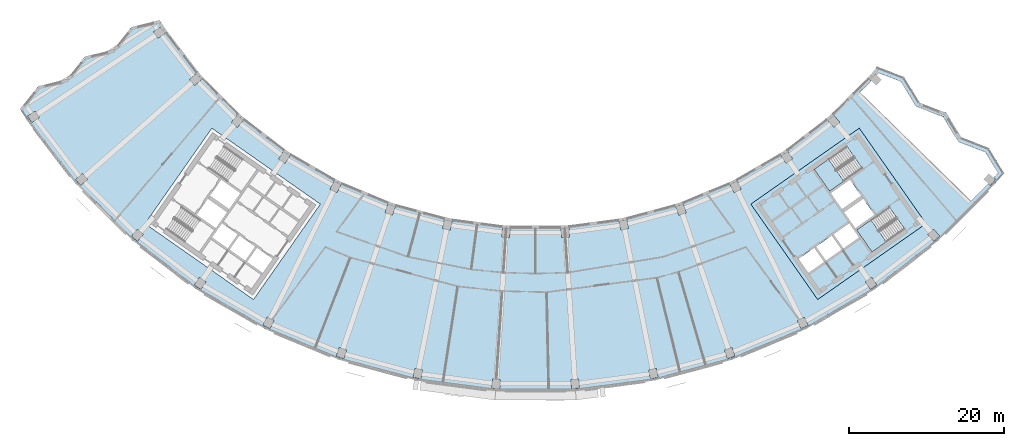
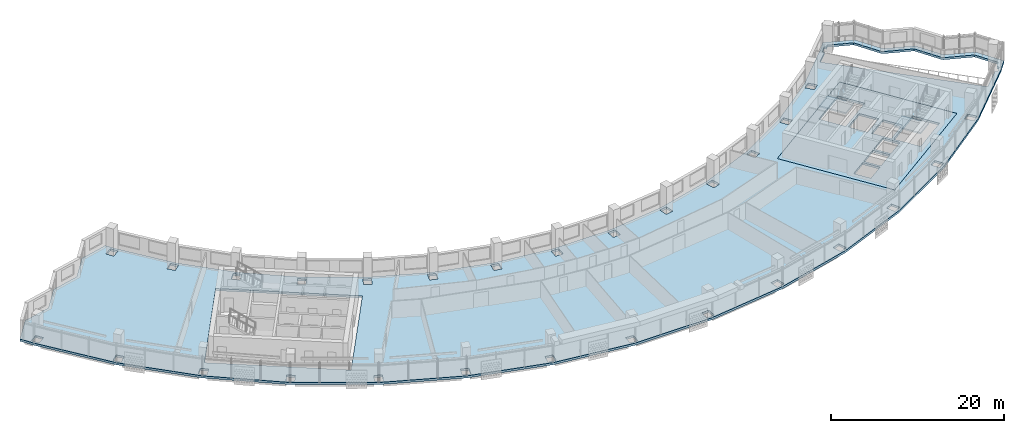
# One storey, part 2 of 29: 4 slabs, 2 elements without a shape of their own.
"""IFC4 building model written with IfcOpenShell, lengths in metres."""

from ifc_helpers import new_model, si_unit, direction, frame, origin, place, context, subcontext, project, spatial, polyline, outline, extrude, material, layer, layer_set, type_object, element, aggregate, save


model = new_model("IFC4")

# Units and contexts
model_context = context("Model", 3, precision=1e-05, world=origin(), true_north=direction((0.0, 1.0)))
body_context = subcontext(model_context, "Body", "Model", "MODEL_VIEW")
ifc_project = project(units=[si_unit("LENGTHUNIT", "METRE"), si_unit("AREAUNIT", "SQUARE_METRE"), si_unit("VOLUMEUNIT", "CUBIC_METRE"), si_unit("PLANEANGLEUNIT", "RADIAN"), si_unit("MASSUNIT", "GRAM", prefix="KILO")], contexts=[model_context])

# Site, building, storey
site_placement = place(None, origin())
site = spatial("IfcSite", under=ifc_project, at=site_placement, CompositionType="ELEMENT")
building_placement = place(site_placement, origin())
building = spatial("IfcBuilding", under=site, at=building_placement, Name="Qamariyya Broadcast Tower", CompositionType="ELEMENT")
storey_placement = place(building_placement, frame((0.0, 0.0, 207.5)))
storey = spatial("IfcBuildingStorey", under=building, at=storey_placement, Name="L49", CompositionType="ELEMENT", Elevation=207.5)

# Slabs
ifc_material_1 = material(Name="Concrete C40/50", Category="concrete")
ifc_layer_1 = layer(ifc_material_1, 0.300048828125)
ifc_layer_set_1 = layer_set([ifc_layer_1], Name="Core floor slab 300 mm Concrete C40/50")
slab_type_1 = type_object("IfcSlabType", Name="Core floor slab 300 mm Concrete C40/50", PredefinedType="FLOOR", material=ifc_layer_set_1)
slab_1_placement = place(storey_placement, frame((0.0, 0.0, -0.300048828125)))
element("IfcSlab", 1, at=slab_1_placement, inside=storey, type_object=slab_type_1, Name="k-E-L49-slab", PredefinedType="FLOOR", context=body_context, shape_type="SweptSolid", body=[
    extrude(outline(polyline([(36.32373046875, -66.734375), (50.286376953125, -56.95751953125), (41.6826171875, -44.67041015625), (27.719970703125, -54.447021484375), (36.32373046875, -66.734375)]), holes=[polyline([(33.87353515625, -61.49169921875), (35.88037109375, -60.08642578125), (37.142333984375, -61.888427734375), (35.13525390625, -63.293701171875), (33.87353515625, -61.49169921875)]), polyline([(36.126220703125, -59.914306640625), (38.133056640625, -58.509033203125), (39.394775390625, -60.311279296875), (37.387939453125, -61.716552734375), (36.126220703125, -59.914306640625)]), polyline([(38.378662109375, -58.3369140625), (40.3857421875, -56.931640625), (41.6474609375, -58.73388671875), (39.640625, -60.13916015625), (38.378662109375, -58.3369140625)]), polyline([(39.742431640625, -55.489990234375), (42.199951171875, -53.769287109375), (43.6337890625, -55.817138671875), (41.17626953125, -57.537841796875), (39.742431640625, -55.489990234375)]), polyline([(39.45556640625, -55.080322265625), (41.9130859375, -53.359619140625), (40.47900390625, -51.311767578125), (38.021728515625, -53.032470703125), (39.45556640625, -55.080322265625)]), polyline([(40.082275390625, -47.01171875), (35.870849609375, -49.960693359375), (37.849609375, -52.78662109375), (42.06103515625, -49.837890625), (40.082275390625, -47.01171875)]), polyline([(45.559814453125, -54.834716796875), (41.348388671875, -57.783447265625), (43.3271484375, -60.609619140625), (47.538818359375, -57.66064453125), (45.559814453125, -54.834716796875)])]), origin(), (0.0, 0.0, 1.0), 0.300048828125),
])
ifc_layer_2 = layer(ifc_material_1, 0.300048828125)
ifc_layer_set_2 = layer_set([ifc_layer_2], Name="Post-tensioned floor slab 300 C40/50")
slab_type_2 = type_object("IfcSlabType", Name="Post-tensioned floor slab 300 C40/50", PredefinedType="FLOOR", material=ifc_layer_set_2)
slab_2_placement = place(storey_placement, frame((0.0, 0.0, -0.300048828125)))
element("IfcSlab", 2, at=slab_2_placement, inside=storey, type_object=slab_type_2, Name="Floor slab S4 L49", PredefinedType="FLOOR", context=body_context, shape_type="SweptSolid", body=[
    extrude(outline(polyline([(-64.02783203125, -39.248779296875), (-66.388916015625, -42.170166015625), (-65.39501953125, -43.695556640625), (-59.132080078125, -51.857666015625), (-51.857666015625, -59.132080078125), (-43.695556640625, -65.39501953125), (-34.785888671875, -70.5390625), (-25.28125, -74.47607421875), (-15.34375, -77.138671875), (-5.14404296875, -78.481689453125), (5.14404296875, -78.481689453125), (15.34375, -77.138671875), (25.28125, -74.47607421875), (34.785888671875, -70.5390625), (43.695556640625, -65.39501953125), (51.857666015625, -59.132080078125), (59.132080078125, -51.857666015625), (60.316650390625, -50.474853515625), (58.35693359375, -47.270263671875), (54.871826171875, -45.91845703125), (52.9111328125, -42.713134765625), (49.4267578125, -41.36181640625), (47.46533203125, -38.15576171875), (43.981689453125, -36.80517578125), (43.117919921875, -37.8134765625), (37.8134765625, -43.117919921875), (31.862060546875, -47.684814453125), (25.365234375, -51.435546875), (18.4345703125, -54.306396484375), (11.1884765625, -56.248046875), (3.7509765625, -57.227294921875), (-3.7509765625, -57.227294921875), (-11.1884765625, -56.248046875), (-18.4345703125, -54.306396484375), (-25.365234375, -51.435546875), (-31.862060546875, -47.684814453125), (-37.8134765625, -43.117919921875), (-43.117919921875, -37.8134765625), (-47.684814453125, -31.862060546875), (-48.409423828125, -30.74951171875), (-52.03955078125, -31.6337890625), (-54.402587890625, -34.556396484375), (-58.03369140625, -35.44140625), (-60.395751953125, -38.36328125), (-64.02783203125, -39.248779296875)]), holes=[polyline([(-5.62158203125, -78.12451171875), (-5.54638671875, -76.97705078125), (-4.548583984375, -77.04248046875), (-4.623779296875, -78.18994140625), (-5.62158203125, -78.12451171875)]), polyline([(-15.770751953125, -76.722412109375), (-15.54638671875, -75.594482421875), (-14.565673828125, -75.78955078125), (-14.7900390625, -76.91748046875), (-15.770751953125, -76.722412109375)]), polyline([(-25.650146484375, -74.007568359375), (-25.280517578125, -72.918701171875), (-24.333740234375, -73.239990234375), (-24.703369140625, -74.3291015625), (-25.650146484375, -74.007568359375)]), polyline([(-35.090576171875, -70.0263671875), (-34.58203125, -68.9951171875), (-33.685302734375, -69.437255859375), (-34.19384765625, -70.46875), (-35.090576171875, -70.0263671875)]), polyline([(-43.9306640625, -64.84716796875), (-43.291748046875, -63.890869140625), (-42.46044921875, -64.446533203125), (-43.099365234375, -65.402587890625), (-43.9306640625, -64.84716796875)]), polyline([(-52.019287109375, -58.55810546875), (-51.260986328125, -57.693603515625), (-50.509033203125, -58.35302734375), (-51.267333984375, -59.217529296875), (-52.019287109375, -58.55810546875)]), polyline([(-4.34619140625, -58.666259765625), (-4.27099609375, -57.518798828125), (-3.273193359375, -57.584228515625), (-3.348388671875, -58.731689453125), (-4.34619140625, -58.666259765625)]), polyline([(-11.966552734375, -57.59716796875), (-11.7421875, -56.46923828125), (-10.761474609375, -56.664306640625), (-10.98583984375, -57.792236328125), (-11.966552734375, -57.59716796875)]), polyline([(-50.286376953125, -56.95751953125), (-41.6826171875, -44.67041015625), (-27.719970703125, -54.447021484375), (-36.32373046875, -66.734375), (-50.286376953125, -56.95751953125)]), polyline([(-19.382080078125, -55.54248046875), (-19.012451171875, -54.453369140625), (-18.065673828125, -54.77490234375), (-18.435302734375, -55.86376953125), (-19.382080078125, -55.54248046875)]), polyline([(-26.466064453125, -52.537353515625), (-25.95751953125, -51.506103515625), (-25.060546875, -51.9482421875), (-25.569091796875, -52.979736328125), (-26.466064453125, -52.537353515625)]), polyline([(-59.217529296875, -51.267333984375), (-58.35302734375, -50.509033203125), (-57.693603515625, -51.260986328125), (-58.55810546875, -52.019287109375), (-59.217529296875, -51.267333984375)]), polyline([(-33.09716796875, -48.63330078125), (-32.458251953125, -47.67724609375), (-31.626708984375, -48.23291015625), (-32.265625, -49.18896484375), (-33.09716796875, -48.63330078125)]), polyline([(-39.161865234375, -43.897216796875), (-38.40380859375, -43.03271484375), (-37.65185546875, -43.692138671875), (-38.41015625, -44.556640625), (-39.161865234375, -43.897216796875)]), polyline([(-65.402587890625, -43.099365234375), (-64.446533203125, -42.46044921875), (-63.890869140625, -43.291748046875), (-64.84716796875, -43.9306640625), (-65.402587890625, -43.099365234375)]), polyline([(-44.556640625, -38.41015625), (-43.692138671875, -37.65185546875), (-43.03271484375, -38.40380859375), (-43.897216796875, -39.161865234375), (-44.556640625, -38.41015625)]), polyline([(-49.18896484375, -32.265625), (-48.23291015625, -31.626708984375), (-47.67724609375, -32.458251953125), (-48.63330078125, -33.09716796875), (-49.18896484375, -32.265625)]), polyline([(4.623779296875, -78.18994140625), (4.548583984375, -77.04248046875), (5.54638671875, -76.97705078125), (5.62158203125, -78.12451171875), (4.623779296875, -78.18994140625)]), polyline([(14.7900390625, -76.91748046875), (14.565673828125, -75.78955078125), (15.54638671875, -75.594482421875), (15.770751953125, -76.722412109375), (14.7900390625, -76.91748046875)]), polyline([(24.703369140625, -74.3291015625), (24.333740234375, -73.239990234375), (25.280517578125, -72.918701171875), (25.650146484375, -74.007568359375), (24.703369140625, -74.3291015625)]), polyline([(34.19384765625, -70.46875), (33.685302734375, -69.437255859375), (34.58203125, -68.9951171875), (35.090576171875, -70.0263671875), (34.19384765625, -70.46875)]), polyline([(43.099365234375, -65.402587890625), (42.46044921875, -64.446533203125), (43.291748046875, -63.890869140625), (43.9306640625, -64.84716796875), (43.099365234375, -65.402587890625)]), polyline([(51.267333984375, -59.217529296875), (50.509033203125, -58.35302734375), (51.260986328125, -57.693603515625), (52.019287109375, -58.55810546875), (51.267333984375, -59.217529296875)]), polyline([(3.348388671875, -58.731689453125), (3.273193359375, -57.584228515625), (4.27099609375, -57.518798828125), (4.34619140625, -58.666259765625), (3.348388671875, -58.731689453125)]), polyline([(10.98583984375, -57.792236328125), (10.761474609375, -56.664306640625), (11.7421875, -56.46923828125), (11.966552734375, -57.59716796875), (10.98583984375, -57.792236328125)]), polyline([(36.32373046875, -66.734375), (27.719970703125, -54.447021484375), (41.6826171875, -44.67041015625), (50.286376953125, -56.95751953125), (36.32373046875, -66.734375)]), polyline([(18.435302734375, -55.86376953125), (18.065673828125, -54.77490234375), (19.012451171875, -54.453369140625), (19.382080078125, -55.54248046875), (18.435302734375, -55.86376953125)]), polyline([(25.569091796875, -52.979736328125), (25.060546875, -51.9482421875), (25.95751953125, -51.506103515625), (26.466064453125, -52.537353515625), (25.569091796875, -52.979736328125)]), polyline([(58.325927734375, -51.8154296875), (56.071533203125, -54.069580078125), (41.742431640625, -40.03759765625), (43.2158203125, -38.564208984375), (43.03271484375, -38.40380859375), (43.692138671875, -37.65185546875), (43.89453125, -37.829345703125), (44.160888671875, -37.518310546875), (47.059326171875, -38.641845703125), (48.9150390625, -41.675048828125), (48.9462890625, -41.72119140625), (48.981689453125, -41.76416015625), (49.021240234375, -41.803955078125), (49.06396484375, -41.839599609375), (49.110107421875, -41.871337890625), (49.15869140625, -41.898681640625), (49.209716796875, -41.921142578125), (52.505126953125, -43.19921875), (54.35986328125, -46.2314453125), (54.39111328125, -46.277587890625), (54.4267578125, -46.32080078125), (54.466064453125, -46.3603515625), (54.509033203125, -46.396240234375), (54.554931640625, -46.427978515625), (54.603759765625, -46.455078125), (54.65478515625, -46.477783203125), (57.950927734375, -47.75634765625), (59.577392578125, -50.415771484375), (59.00634765625, -51.082275390625), (59.217529296875, -51.267333984375), (58.55810546875, -52.019287109375), (58.325927734375, -51.8154296875)]), polyline([(32.265625, -49.18896484375), (31.626708984375, -48.23291015625), (32.458251953125, -47.67724609375), (33.09716796875, -48.63330078125), (32.265625, -49.18896484375)]), polyline([(37.65185546875, -43.692138671875), (38.40380859375, -43.03271484375), (39.161865234375, -43.897216796875), (38.41015625, -44.556640625), (37.65185546875, -43.692138671875)])]), origin(), (0.0, 0.0, 1.0), 0.300048828125),
])

# Stair, slab
ifc_material_2 = material(Name="Concrete C50/60", Category="concrete")
stair_type = type_object("IfcStairType", Name="Exit stair 22 risers of 173 mm", PredefinedType="HALF_TURN_STAIR", material=ifc_material_2)
stair_1_placement = place(storey_placement, origin())
stair_1 = element("IfcStair", 3, at=stair_1_placement, inside=storey, type_object=stair_type, Name="L49 Stair E2", PredefinedType="HALF_TURN_STAIR")
ifc_layer_3 = layer(ifc_material_2, 0.199951171875)
ifc_layer_set_3 = layer_set([ifc_layer_3], Name="Stair landing")
slab_type_3 = type_object("IfcSlabType", Name="Stair landing", PredefinedType="LANDING", material=ifc_layer_set_3)
slab_3_placement = place(storey_placement, frame((0.0, 0.0, 1.699951171875)))
slab_3 = element("IfcSlab", 4, at=slab_3_placement, type_object=slab_type_3, Name="ST-E2 landing 1", PredefinedType="LANDING", context=body_context, shape_type="SweptSolid", body=[
    extrude(outline(polyline([(37.71337890625, -48.67041015625), (35.870849609375, -49.960693359375), (37.849609375, -52.78662109375), (39.692138671875, -51.49658203125), (37.71337890625, -48.67041015625)])), origin(), (0.0, 0.0, 1.0), 0.199951171875),
])
aggregate(stair_1, [slab_3])

stair_2_placement = place(storey_placement, origin())
stair_2 = element("IfcStair", 5, at=stair_2_placement, inside=storey, type_object=stair_type, Name="L49 Stair E1", PredefinedType="HALF_TURN_STAIR")
slab_4_placement = place(storey_placement, frame((0.0, 0.0, 1.699951171875)))
slab_4 = element("IfcSlab", 6, at=slab_4_placement, type_object=slab_type_3, Name="ST-E1 landing 1", PredefinedType="LANDING", context=body_context, shape_type="SweptSolid", body=[
    extrude(outline(polyline([(43.19091796875, -56.493408203125), (41.348388671875, -57.783447265625), (43.3271484375, -60.609619140625), (45.169677734375, -59.319580078125), (43.19091796875, -56.493408203125)])), origin(), (0.0, 0.0, 1.0), 0.199951171875),
])
aggregate(stair_2, [slab_4])

save(model, "model.ifc")
